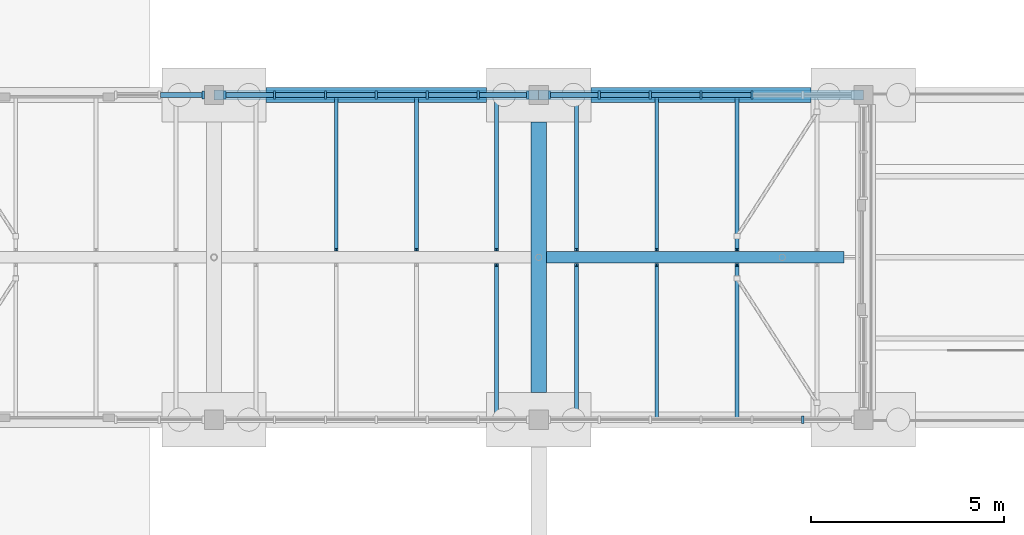
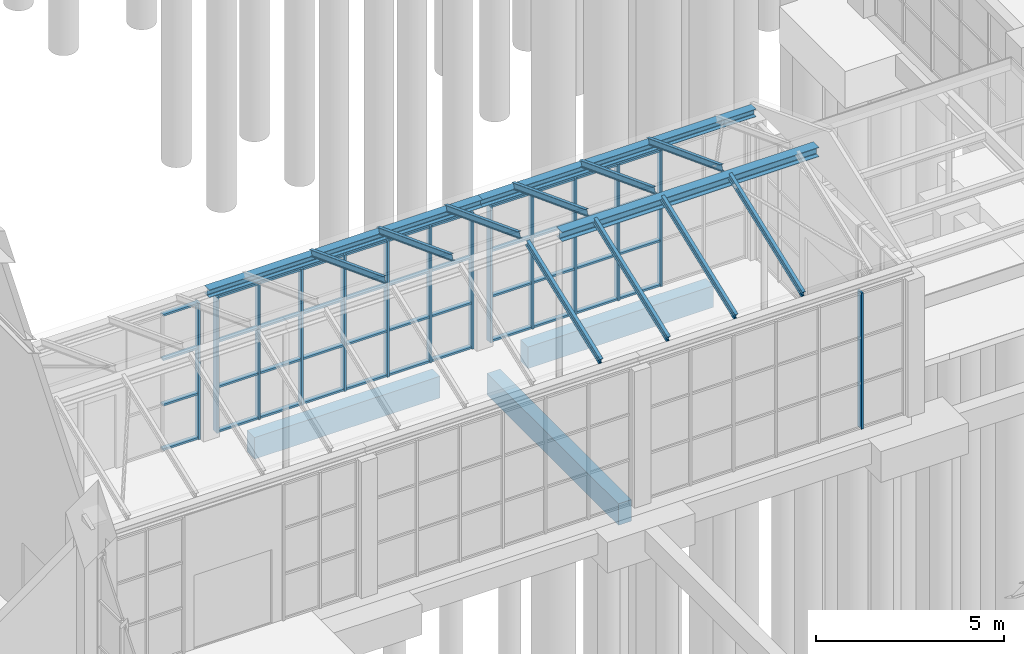
# One storey, part 66 of 138: 58 members, 16 beams, 4 elements without a shape of their own.
"""IFC4 building model written with IfcOpenShell, lengths in metres."""

from ifc_helpers import new_model, si_unit, direction, frame, origin, origin_2d, place, context, subcontext, project, spatial, rectangle, i_section, extrude, material, material_profile, profile_set, type_object, element, aggregate, save


model = new_model("IFC4")

# Units and contexts
model_context = context("Model", 3, precision=1e-05, world=origin(), true_north=direction((0.0, 1.0)))
body_context = subcontext(model_context, "Body", "Model", "MODEL_VIEW")
ifc_project = project(units=[si_unit("LENGTHUNIT", "METRE"), si_unit("AREAUNIT", "SQUARE_METRE"), si_unit("VOLUMEUNIT", "CUBIC_METRE"), si_unit("PLANEANGLEUNIT", "RADIAN"), si_unit("MASSUNIT", "GRAM", prefix="KILO")], contexts=[model_context])

# Site, building, storey
site_placement = place(None, origin())
site = spatial("IfcSite", under=ifc_project, at=site_placement, CompositionType="ELEMENT")
building_placement = place(site_placement, origin())
building = spatial("IfcBuilding", under=site, at=building_placement, Name="Yavir Park General Hospital", CompositionType="ELEMENT")
storey_placement = place(building_placement, origin())
storey = spatial("IfcBuildingStorey", under=building, at=storey_placement, Name="L00", CompositionType="ELEMENT", Elevation=0.0)

# Beams
ifc_material_1 = material(Name="Steel S355", Category="steel")
ifc_material_profile_1 = material_profile(ifc_material_1, i_section(OverallWidth=0.260009765625, OverallDepth=0.25, WebThickness=0.007568359375, FlangeThickness=0.012451171875, FilletRadius=0.02392578125, at=origin_2d()), Name="HEA260")
ifc_profile_set_1 = profile_set([ifc_material_profile_1], Name="Steel S355")
beam_type_1 = type_object("IfcBeamType", Name="HEA 260 eave beam", PredefinedType="BEAM", material=ifc_profile_set_1)
for number, where, z_axis, x_axis, name in (
    (1, (117.60009765625, 58.800048828125, 4.64697265625), (1.0, 0.0, 0.0), (0.0, 1.0, 0.0), "RF:CONC:frame:E:4"),
    (2, (126.0, 58.800048828125, 4.64697265625), (1.0, 0.0, 0.0), (0.0, 1.0, 0.0), "RF:CONC:frame:E:5"),
):
    element("IfcBeam", number, at=place(storey_placement, frame(where, z_axis=z_axis, x_axis=x_axis)), inside=storey, type_object=beam_type_1, Name=name, PredefinedType="BEAM", context=body_context, shape_type="SweptSolid", body=[
        extrude(i_section(OverallWidth=0.260009765625, OverallDepth=0.25, WebThickness=0.007568359375, FlangeThickness=0.012451171875, FilletRadius=0.02392578125, at=origin_2d()), origin(), (0.0, 0.0, 1.0), 8.39990234375),
    ])
ifc_material_2 = material(Name="Steel S355", Category="steel")
ifc_material_profile_2 = material_profile(ifc_material_2, i_section(OverallWidth=0.300048828125, OverallDepth=0.31005859375, WebThickness=0.009033203125, FlangeThickness=0.015380859375, FilletRadius=0.027099609375, at=origin_2d()), Name="HEA320")
ifc_profile_set_2 = profile_set([ifc_material_profile_2], Name="Steel S355")
beam_type_2 = type_object("IfcBeamType", Name="HEA 320 ridge beam", PredefinedType="BEAM", material=ifc_profile_set_2)
beam_1_placement = place(storey_placement, frame((126.0, 54.60009765625, 6.113037109375), z_axis=(1.0, 0.0, 0.0), x_axis=(0.0, 1.0, 0.0)))
element("IfcBeam", 3, at=beam_1_placement, inside=storey, type_object=beam_type_2, Name="RF:CONC:frame:G:2", PredefinedType="BEAM", context=body_context, shape_type="SweptSolid", body=[
    extrude(i_section(OverallWidth=0.300048828125, OverallDepth=0.31005859375, WebThickness=0.009033203125, FlangeThickness=0.015380859375, FilletRadius=0.027099609375, at=origin_2d()), origin(), (0.0, 0.0, 1.0), 7.89990234375),
])
ifc_material_3 = material(Name="Steel S355", Category="steel")
ifc_material_profile_3 = material_profile(ifc_material_3, i_section(OverallWidth=0.10009765625, OverallDepth=0.199951171875, WebThickness=0.005615234375, FlangeThickness=0.008544921875, FilletRadius=0.011962890625, at=origin_2d()), Name="IPE200")
ifc_profile_set_3 = profile_set([ifc_material_profile_3], Name="Steel S355")
beam_type_3 = type_object("IfcBeamType", Name="IPE 200 rafter", PredefinedType="JOIST", material=ifc_profile_set_3)
for number, where, z_axis, x_axis, name in (
    (4, (120.763671875, 54.795654296875, 6.35791015625), (0.0, 0.934494196525, -0.35597836544), (-1.0, 0.0, 0.0), "RF:CONC:frame:R:11"),
    (5, (122.83642578125, 54.795654296875, 6.35791015625), (0.0, 0.934494196525, -0.35597836544), (-1.0, 0.0, 0.0), "RF:CONC:frame:R:13"),
    (6, (124.9091796875, 50.489013671875, 4.866455078125), (0.0, 0.934494196525, 0.35597836544), (-1.0, 0.0, 0.0), "RF:CONC:frame:R:14"),
    (7, (124.9091796875, 54.795654296875, 6.35791015625), (0.0, 0.934494196525, -0.35597836544), (-1.0, 0.0, 0.0), "RF:CONC:frame:R:15"),
    (8, (126.981689453125, 50.489013671875, 4.866455078125), (0.0, 0.934494196525, 0.35597836544), (-1.0, 0.0, 0.0), "RF:CONC:frame:R:16"),
    (9, (126.981689453125, 54.795654296875, 6.35791015625), (0.0, 0.934494196525, -0.35597836544), (-1.0, 0.0, 0.0), "RF:CONC:frame:R:17"),
    (10, (129.054443359375, 50.489013671875, 4.866455078125), (0.0, 0.934494196525, 0.35597836544), (-1.0, 0.0, 0.0), "RF:CONC:frame:R:18"),
    (11, (129.054443359375, 54.795654296875, 6.35791015625), (0.0, 0.934494196525, -0.35597836544), (-1.0, 0.0, 0.0), "RF:CONC:frame:R:19"),
    (12, (131.127197265625, 50.489013671875, 4.866455078125), (0.0, 0.934494196525, 0.35597836544), (-1.0, 0.0, 0.0), "RF:CONC:frame:R:20"),
    (13, (131.127197265625, 54.795654296875, 6.35791015625), (0.0, 0.934494196525, -0.35597836544), (-1.0, 0.0, 0.0), "RF:CONC:frame:R:21"),
):
    element("IfcBeam", number, at=place(storey_placement, frame(where, z_axis=z_axis, x_axis=x_axis)), inside=storey, type_object=beam_type_3, Name=name, PredefinedType="JOIST", context=body_context, shape_type="SweptSolid", body=[
        extrude(i_section(OverallWidth=0.10009765625, OverallDepth=0.199951171875, WebThickness=0.005615234375, FlangeThickness=0.008544921875, FilletRadius=0.011962890625, at=origin_2d()), origin(), (0.0, 0.0, 1.0), 4.189697265625),
    ])
ifc_material_4 = material(Name="Concrete C35/45", Category="concrete")
ifc_material_profile_4 = material_profile(ifc_material_4, rectangle(XDim=0.39990234375, YDim=0.699951171875, at=origin_2d()), Name="RC400x700")
ifc_profile_set_4 = profile_set([ifc_material_profile_4], Name="Concrete C35/45")
beam_type_4 = type_object("IfcBeamType", Name="RC BEAM 400x700 ground beam", PredefinedType="BEAM", material=ifc_profile_set_4)
for number, where, z_axis, x_axis, name in (
    (14, (118.949951171875, 58.800048828125, -0.800048828125), (1.0, 0.0, 0.0), (0.0, 1.0, 0.0), "B:GND:L00:15H:L00:16H"),
    (15, (127.35009765625, 58.800048828125, -0.800048828125), (1.0, 0.0, 0.0), (0.0, 1.0, 0.0), "B:GND:L00:16H:L00:17H"),
):
    element("IfcBeam", number, at=place(storey_placement, frame(where, z_axis=z_axis, x_axis=x_axis)), inside=storey, type_object=beam_type_4, Name=name, PredefinedType="BEAM", context=body_context, shape_type="SweptSolid", body=[
        extrude(rectangle(XDim=0.39990234375, YDim=0.699951171875, at=origin_2d()), origin(), (0.0, 0.0, 1.0), 5.699951171875),
    ])
beam_2_placement = place(storey_placement, frame((126.0, 51.10009765625, -0.800048828125), z_axis=(0.0, 1.0, 0.0), x_axis=(-1.0, 0.0, 0.0)))
element("IfcBeam", 16, at=beam_2_placement, inside=storey, type_object=beam_type_4, Name="B:GND:L00:16G:L00:16H", PredefinedType="BEAM", context=body_context, shape_type="SweptSolid", body=[
    extrude(rectangle(XDim=0.39990234375, YDim=0.699951171875, at=origin_2d()), origin(), (0.0, 0.0, 1.0), 7.0),
])

# Curtain wall, member
ifc_material_5 = material(Name="Aluminium curtain wall frame with insulated glazing", Category="aluminium")
curtain_wall_type = type_object("IfcCurtainWallType", Name="Winter-garden concourse glazing, 4425 high, 1400 module", PredefinedType="NOTDEFINED", material=ifc_material_5)
curtain_wall_1_placement = place(storey_placement, origin())
curtain_wall_1 = element("IfcCurtainWall", 17, at=curtain_wall_1_placement, inside=storey, type_object=curtain_wall_type, Name="CW37 L00-016", PredefinedType="NOTDEFINED")
ifc_material_6 = material(Name="Aluminium", Category="aluminium")
ifc_material_profile_5 = material_profile(ifc_material_6, rectangle(XDim=0.199951171875, YDim=0.06005859375, at=origin_2d()), Name="AL 60x200")
ifc_profile_set_5 = profile_set([ifc_material_profile_5], Name="Aluminium")
member_type_1 = type_object("IfcMemberType", Name="Winter-garden concourse glazing, 4425 high mullion 60 x 200", PredefinedType="MULLION", material=ifc_profile_set_5)
member_1_placement = place(storey_placement, frame((132.833251953125, 50.39990234375, 0.0), z_axis=(0.0, 0.0, 1.0), x_axis=(0.0, 1.0, 0.0)))
member_1 = element("IfcMember", 18, at=member_1_placement, type_object=member_type_1, Name="CW37 mullion 6", PredefinedType="MULLION", context=body_context, shape_type="SweptSolid", body=[
    extrude(rectangle(XDim=0.199951171875, YDim=0.06005859375, at=origin_2d()), origin(), (0.0, 0.0, 1.0), 4.425048828125),
])
aggregate(curtain_wall_1, [member_1])

curtain_wall_2_placement = place(storey_placement, origin())
curtain_wall_2 = element("IfcCurtainWall", 19, at=curtain_wall_2_placement, inside=storey, type_object=curtain_wall_type, Name="CW37 L00-019", PredefinedType="NOTDEFINED")
member_2_placement = place(storey_placement, frame((117.320068359375, 58.800048828125, 0.0), z_axis=(0.0, 0.0, 1.0), x_axis=(0.0, 1.0, 0.0)))
member_2 = element("IfcMember", 20, at=member_2_placement, type_object=member_type_1, Name="CW37 mullion 3", PredefinedType="MULLION", context=body_context, shape_type="SweptSolid", body=[
    extrude(rectangle(XDim=0.199951171875, YDim=0.06005859375, at=origin_2d()), origin(), (0.0, 0.0, 1.0), 4.425048828125),
])

# Curtain wall, members
curtain_wall_3_placement = place(storey_placement, origin())
curtain_wall_3 = element("IfcCurtainWall", 21, at=curtain_wall_3_placement, inside=storey, type_object=curtain_wall_type, Name="CW37 L00-020", PredefinedType="NOTDEFINED")
member_3_placement = place(storey_placement, frame((117.8798828125, 58.800048828125, 0.0), z_axis=(0.0, 0.0, 1.0), x_axis=(0.0, 1.0, 0.0)))
member_3 = element("IfcMember", 22, at=member_3_placement, type_object=member_type_1, Name="CW37 mullion 1", PredefinedType="MULLION", context=body_context, shape_type="SweptSolid", body=[
    extrude(rectangle(XDim=0.199951171875, YDim=0.06005859375, at=origin_2d()), origin(), (0.0, 0.0, 1.0), 4.425048828125),
])
member_4_placement = place(storey_placement, frame((119.166748046875, 58.800048828125, 0.0), z_axis=(0.0, 0.0, 1.0), x_axis=(0.0, 1.0, 0.0)))
member_4 = element("IfcMember", 23, at=member_4_placement, type_object=member_type_1, Name="CW37 mullion 2", PredefinedType="MULLION", context=body_context, shape_type="SweptSolid", body=[
    extrude(rectangle(XDim=0.199951171875, YDim=0.06005859375, at=origin_2d()), origin(), (0.0, 0.0, 1.0), 4.425048828125),
])
member_5_placement = place(storey_placement, frame((120.4833984375, 58.800048828125, 0.0), z_axis=(0.0, 0.0, 1.0), x_axis=(0.0, 1.0, 0.0)))
member_5 = element("IfcMember", 24, at=member_5_placement, type_object=member_type_1, Name="CW37 mullion 3", PredefinedType="MULLION", context=body_context, shape_type="SweptSolid", body=[
    extrude(rectangle(XDim=0.199951171875, YDim=0.06005859375, at=origin_2d()), origin(), (0.0, 0.0, 1.0), 4.425048828125),
])
member_6_placement = place(storey_placement, frame((121.800048828125, 58.800048828125, 0.0), z_axis=(0.0, 0.0, 1.0), x_axis=(0.0, 1.0, 0.0)))
member_6 = element("IfcMember", 25, at=member_6_placement, type_object=member_type_1, Name="CW37 mullion 4", PredefinedType="MULLION", context=body_context, shape_type="SweptSolid", body=[
    extrude(rectangle(XDim=0.199951171875, YDim=0.06005859375, at=origin_2d()), origin(), (0.0, 0.0, 1.0), 4.425048828125),
])
member_7_placement = place(storey_placement, frame((123.11669921875, 58.800048828125, 0.0), z_axis=(0.0, 0.0, 1.0), x_axis=(0.0, 1.0, 0.0)))
member_7 = element("IfcMember", 26, at=member_7_placement, type_object=member_type_1, Name="CW37 mullion 5", PredefinedType="MULLION", context=body_context, shape_type="SweptSolid", body=[
    extrude(rectangle(XDim=0.199951171875, YDim=0.06005859375, at=origin_2d()), origin(), (0.0, 0.0, 1.0), 4.425048828125),
])
member_8_placement = place(storey_placement, frame((124.433349609375, 58.800048828125, 0.0), z_axis=(0.0, 0.0, 1.0), x_axis=(0.0, 1.0, 0.0)))
member_8 = element("IfcMember", 27, at=member_8_placement, type_object=member_type_1, Name="CW37 mullion 6", PredefinedType="MULLION", context=body_context, shape_type="SweptSolid", body=[
    extrude(rectangle(XDim=0.199951171875, YDim=0.06005859375, at=origin_2d()), origin(), (0.0, 0.0, 1.0), 4.425048828125),
])
member_9_placement = place(storey_placement, frame((125.719970703125, 58.800048828125, 0.0), z_axis=(0.0, 0.0, 1.0), x_axis=(0.0, 1.0, 0.0)))
member_9 = element("IfcMember", 28, at=member_9_placement, type_object=member_type_1, Name="CW37 mullion 7", PredefinedType="MULLION", context=body_context, shape_type="SweptSolid", body=[
    extrude(rectangle(XDim=0.199951171875, YDim=0.06005859375, at=origin_2d()), origin(), (0.0, 0.0, 1.0), 4.425048828125),
])

curtain_wall_4_placement = place(storey_placement, origin())
curtain_wall_4 = element("IfcCurtainWall", 29, at=curtain_wall_4_placement, inside=storey, type_object=curtain_wall_type, Name="CW37 L00-021", PredefinedType="NOTDEFINED")
member_10_placement = place(storey_placement, frame((126.280029296875, 58.800048828125, 0.0), z_axis=(0.0, 0.0, 1.0), x_axis=(0.0, 1.0, 0.0)))
member_10 = element("IfcMember", 30, at=member_10_placement, type_object=member_type_1, Name="CW37 mullion 1", PredefinedType="MULLION", context=body_context, shape_type="SweptSolid", body=[
    extrude(rectangle(XDim=0.199951171875, YDim=0.06005859375, at=origin_2d()), origin(), (0.0, 0.0, 1.0), 4.425048828125),
])
member_11_placement = place(storey_placement, frame((127.566650390625, 58.800048828125, 0.0), z_axis=(0.0, 0.0, 1.0), x_axis=(0.0, 1.0, 0.0)))
member_11 = element("IfcMember", 31, at=member_11_placement, type_object=member_type_1, Name="CW37 mullion 2", PredefinedType="MULLION", context=body_context, shape_type="SweptSolid", body=[
    extrude(rectangle(XDim=0.199951171875, YDim=0.06005859375, at=origin_2d()), origin(), (0.0, 0.0, 1.0), 4.425048828125),
])
member_12_placement = place(storey_placement, frame((128.88330078125, 58.800048828125, 0.0), z_axis=(0.0, 0.0, 1.0), x_axis=(0.0, 1.0, 0.0)))
member_12 = element("IfcMember", 32, at=member_12_placement, type_object=member_type_1, Name="CW37 mullion 3", PredefinedType="MULLION", context=body_context, shape_type="SweptSolid", body=[
    extrude(rectangle(XDim=0.199951171875, YDim=0.06005859375, at=origin_2d()), origin(), (0.0, 0.0, 1.0), 4.425048828125),
])
member_13_placement = place(storey_placement, frame((130.199951171875, 58.800048828125, 0.0), z_axis=(0.0, 0.0, 1.0), x_axis=(0.0, 1.0, 0.0)))
member_13 = element("IfcMember", 33, at=member_13_placement, type_object=member_type_1, Name="CW37 mullion 4", PredefinedType="MULLION", context=body_context, shape_type="SweptSolid", body=[
    extrude(rectangle(XDim=0.199951171875, YDim=0.06005859375, at=origin_2d()), origin(), (0.0, 0.0, 1.0), 4.425048828125),
])
member_14_placement = place(storey_placement, frame((131.5166015625, 58.800048828125, 0.0), z_axis=(0.0, 0.0, 1.0), x_axis=(0.0, 1.0, 0.0)))
member_14 = element("IfcMember", 34, at=member_14_placement, type_object=member_type_1, Name="CW37 mullion 5", PredefinedType="MULLION", context=body_context, shape_type="SweptSolid", body=[
    extrude(rectangle(XDim=0.199951171875, YDim=0.06005859375, at=origin_2d()), origin(), (0.0, 0.0, 1.0), 4.425048828125),
])

# Member
ifc_material_7 = material(Name="Aluminium", Category="aluminium")
ifc_material_profile_6 = material_profile(ifc_material_7, rectangle(XDim=0.139892578125, YDim=0.06005859375, at=origin_2d()), Name="AL 140x60")
ifc_profile_set_6 = profile_set([ifc_material_profile_6], Name="Aluminium")
member_type_2 = type_object("IfcMemberType", Name="Winter-garden concourse glazing, 4425 high transom 60 x 140", PredefinedType="MULLION", material=ifc_profile_set_6)
member_15_placement = place(storey_placement, frame((116.217529296875, 58.800048828125, 0.030029296875), z_axis=(1.0, 0.0, 0.0), x_axis=(0.0, 1.0, 0.0)))
member_15 = element("IfcMember", 35, at=member_15_placement, type_object=member_type_2, Name="CW37 transom 2.1", PredefinedType="MULLION", context=body_context, shape_type="SweptSolid", body=[
    extrude(rectangle(XDim=0.139892578125, YDim=0.06005859375, at=origin_2d()), origin(), (0.0, 0.0, 1.0), 1.072509765625),
])

member_16_placement = place(storey_placement, frame((116.217529296875, 58.800048828125, 1.47509765625), z_axis=(1.0, 0.0, 0.0), x_axis=(0.0, 1.0, 0.0)))
member_16 = element("IfcMember", 36, at=member_16_placement, type_object=member_type_2, Name="CW37 transom 2.2", PredefinedType="MULLION", context=body_context, shape_type="SweptSolid", body=[
    extrude(rectangle(XDim=0.139892578125, YDim=0.06005859375, at=origin_2d()), origin(), (0.0, 0.0, 1.0), 1.072509765625),
])

member_17_placement = place(storey_placement, frame((116.217529296875, 58.800048828125, 2.949951171875), z_axis=(1.0, 0.0, 0.0), x_axis=(0.0, 1.0, 0.0)))
member_17 = element("IfcMember", 37, at=member_17_placement, type_object=member_type_2, Name="CW37 transom 2.3", PredefinedType="MULLION", context=body_context, shape_type="SweptSolid", body=[
    extrude(rectangle(XDim=0.139892578125, YDim=0.06005859375, at=origin_2d()), origin(), (0.0, 0.0, 1.0), 1.072509765625),
])

member_18_placement = place(storey_placement, frame((116.217529296875, 58.800048828125, 4.39501953125), z_axis=(1.0, 0.0, 0.0), x_axis=(0.0, 1.0, 0.0)))
member_18 = element("IfcMember", 38, at=member_18_placement, type_object=member_type_2, Name="CW37 transom 2.4", PredefinedType="MULLION", context=body_context, shape_type="SweptSolid", body=[
    extrude(rectangle(XDim=0.139892578125, YDim=0.06005859375, at=origin_2d()), origin(), (0.0, 0.0, 1.0), 1.072509765625),
])

aggregate(curtain_wall_2, [member_2, member_15, member_16, member_17, member_18])

member_19_placement = place(storey_placement, frame((117.909912109375, 58.800048828125, 0.030029296875), z_axis=(1.0, 0.0, 0.0), x_axis=(0.0, 1.0, 0.0)))
member_19 = element("IfcMember", 39, at=member_19_placement, type_object=member_type_2, Name="CW37 transom 1.1", PredefinedType="MULLION", context=body_context, shape_type="SweptSolid", body=[
    extrude(rectangle(XDim=0.139892578125, YDim=0.06005859375, at=origin_2d()), origin(), (0.0, 0.0, 1.0), 1.226806640625),
])

member_20_placement = place(storey_placement, frame((117.909912109375, 58.800048828125, 1.47509765625), z_axis=(1.0, 0.0, 0.0), x_axis=(0.0, 1.0, 0.0)))
member_20 = element("IfcMember", 40, at=member_20_placement, type_object=member_type_2, Name="CW37 transom 1.2", PredefinedType="MULLION", context=body_context, shape_type="SweptSolid", body=[
    extrude(rectangle(XDim=0.139892578125, YDim=0.06005859375, at=origin_2d()), origin(), (0.0, 0.0, 1.0), 1.226806640625),
])

member_21_placement = place(storey_placement, frame((117.909912109375, 58.800048828125, 2.949951171875), z_axis=(1.0, 0.0, 0.0), x_axis=(0.0, 1.0, 0.0)))
member_21 = element("IfcMember", 41, at=member_21_placement, type_object=member_type_2, Name="CW37 transom 1.3", PredefinedType="MULLION", context=body_context, shape_type="SweptSolid", body=[
    extrude(rectangle(XDim=0.139892578125, YDim=0.06005859375, at=origin_2d()), origin(), (0.0, 0.0, 1.0), 1.226806640625),
])

member_22_placement = place(storey_placement, frame((117.909912109375, 58.800048828125, 4.39501953125), z_axis=(1.0, 0.0, 0.0), x_axis=(0.0, 1.0, 0.0)))
member_22 = element("IfcMember", 42, at=member_22_placement, type_object=member_type_2, Name="CW37 transom 1.4", PredefinedType="MULLION", context=body_context, shape_type="SweptSolid", body=[
    extrude(rectangle(XDim=0.139892578125, YDim=0.06005859375, at=origin_2d()), origin(), (0.0, 0.0, 1.0), 1.226806640625),
])

member_23_placement = place(storey_placement, frame((119.19677734375, 58.800048828125, 0.030029296875), z_axis=(1.0, 0.0, 0.0), x_axis=(0.0, 1.0, 0.0)))
member_23 = element("IfcMember", 43, at=member_23_placement, type_object=member_type_2, Name="CW37 transom 2.1", PredefinedType="MULLION", context=body_context, shape_type="SweptSolid", body=[
    extrude(rectangle(XDim=0.139892578125, YDim=0.06005859375, at=origin_2d()), origin(), (0.0, 0.0, 1.0), 1.256591796875),
])

member_24_placement = place(storey_placement, frame((119.19677734375, 58.800048828125, 1.47509765625), z_axis=(1.0, 0.0, 0.0), x_axis=(0.0, 1.0, 0.0)))
member_24 = element("IfcMember", 44, at=member_24_placement, type_object=member_type_2, Name="CW37 transom 2.2", PredefinedType="MULLION", context=body_context, shape_type="SweptSolid", body=[
    extrude(rectangle(XDim=0.139892578125, YDim=0.06005859375, at=origin_2d()), origin(), (0.0, 0.0, 1.0), 1.256591796875),
])

member_25_placement = place(storey_placement, frame((119.19677734375, 58.800048828125, 2.949951171875), z_axis=(1.0, 0.0, 0.0), x_axis=(0.0, 1.0, 0.0)))
member_25 = element("IfcMember", 45, at=member_25_placement, type_object=member_type_2, Name="CW37 transom 2.3", PredefinedType="MULLION", context=body_context, shape_type="SweptSolid", body=[
    extrude(rectangle(XDim=0.139892578125, YDim=0.06005859375, at=origin_2d()), origin(), (0.0, 0.0, 1.0), 1.256591796875),
])

member_26_placement = place(storey_placement, frame((119.19677734375, 58.800048828125, 4.39501953125), z_axis=(1.0, 0.0, 0.0), x_axis=(0.0, 1.0, 0.0)))
member_26 = element("IfcMember", 46, at=member_26_placement, type_object=member_type_2, Name="CW37 transom 2.4", PredefinedType="MULLION", context=body_context, shape_type="SweptSolid", body=[
    extrude(rectangle(XDim=0.139892578125, YDim=0.06005859375, at=origin_2d()), origin(), (0.0, 0.0, 1.0), 1.256591796875),
])

member_27_placement = place(storey_placement, frame((120.513427734375, 58.800048828125, 0.030029296875), z_axis=(1.0, 0.0, 0.0), x_axis=(0.0, 1.0, 0.0)))
member_27 = element("IfcMember", 47, at=member_27_placement, type_object=member_type_2, Name="CW37 transom 3.1", PredefinedType="MULLION", context=body_context, shape_type="SweptSolid", body=[
    extrude(rectangle(XDim=0.139892578125, YDim=0.06005859375, at=origin_2d()), origin(), (0.0, 0.0, 1.0), 1.256591796875),
])

member_28_placement = place(storey_placement, frame((120.513427734375, 58.800048828125, 1.47509765625), z_axis=(1.0, 0.0, 0.0), x_axis=(0.0, 1.0, 0.0)))
member_28 = element("IfcMember", 48, at=member_28_placement, type_object=member_type_2, Name="CW37 transom 3.2", PredefinedType="MULLION", context=body_context, shape_type="SweptSolid", body=[
    extrude(rectangle(XDim=0.139892578125, YDim=0.06005859375, at=origin_2d()), origin(), (0.0, 0.0, 1.0), 1.256591796875),
])

member_29_placement = place(storey_placement, frame((120.513427734375, 58.800048828125, 2.949951171875), z_axis=(1.0, 0.0, 0.0), x_axis=(0.0, 1.0, 0.0)))
member_29 = element("IfcMember", 49, at=member_29_placement, type_object=member_type_2, Name="CW37 transom 3.3", PredefinedType="MULLION", context=body_context, shape_type="SweptSolid", body=[
    extrude(rectangle(XDim=0.139892578125, YDim=0.06005859375, at=origin_2d()), origin(), (0.0, 0.0, 1.0), 1.256591796875),
])

member_30_placement = place(storey_placement, frame((120.513427734375, 58.800048828125, 4.39501953125), z_axis=(1.0, 0.0, 0.0), x_axis=(0.0, 1.0, 0.0)))
member_30 = element("IfcMember", 50, at=member_30_placement, type_object=member_type_2, Name="CW37 transom 3.4", PredefinedType="MULLION", context=body_context, shape_type="SweptSolid", body=[
    extrude(rectangle(XDim=0.139892578125, YDim=0.06005859375, at=origin_2d()), origin(), (0.0, 0.0, 1.0), 1.256591796875),
])

member_31_placement = place(storey_placement, frame((121.830078125, 58.800048828125, 0.030029296875), z_axis=(1.0, 0.0, 0.0), x_axis=(0.0, 1.0, 0.0)))
member_31 = element("IfcMember", 51, at=member_31_placement, type_object=member_type_2, Name="CW37 transom 4.1", PredefinedType="MULLION", context=body_context, shape_type="SweptSolid", body=[
    extrude(rectangle(XDim=0.139892578125, YDim=0.06005859375, at=origin_2d()), origin(), (0.0, 0.0, 1.0), 1.256591796875),
])

member_32_placement = place(storey_placement, frame((121.830078125, 58.800048828125, 1.47509765625), z_axis=(1.0, 0.0, 0.0), x_axis=(0.0, 1.0, 0.0)))
member_32 = element("IfcMember", 52, at=member_32_placement, type_object=member_type_2, Name="CW37 transom 4.2", PredefinedType="MULLION", context=body_context, shape_type="SweptSolid", body=[
    extrude(rectangle(XDim=0.139892578125, YDim=0.06005859375, at=origin_2d()), origin(), (0.0, 0.0, 1.0), 1.256591796875),
])

member_33_placement = place(storey_placement, frame((121.830078125, 58.800048828125, 2.949951171875), z_axis=(1.0, 0.0, 0.0), x_axis=(0.0, 1.0, 0.0)))
member_33 = element("IfcMember", 53, at=member_33_placement, type_object=member_type_2, Name="CW37 transom 4.3", PredefinedType="MULLION", context=body_context, shape_type="SweptSolid", body=[
    extrude(rectangle(XDim=0.139892578125, YDim=0.06005859375, at=origin_2d()), origin(), (0.0, 0.0, 1.0), 1.256591796875),
])

member_34_placement = place(storey_placement, frame((121.830078125, 58.800048828125, 4.39501953125), z_axis=(1.0, 0.0, 0.0), x_axis=(0.0, 1.0, 0.0)))
member_34 = element("IfcMember", 54, at=member_34_placement, type_object=member_type_2, Name="CW37 transom 4.4", PredefinedType="MULLION", context=body_context, shape_type="SweptSolid", body=[
    extrude(rectangle(XDim=0.139892578125, YDim=0.06005859375, at=origin_2d()), origin(), (0.0, 0.0, 1.0), 1.256591796875),
])

member_35_placement = place(storey_placement, frame((123.146728515625, 58.800048828125, 0.030029296875), z_axis=(1.0, 0.0, 0.0), x_axis=(0.0, 1.0, 0.0)))
member_35 = element("IfcMember", 55, at=member_35_placement, type_object=member_type_2, Name="CW37 transom 5.1", PredefinedType="MULLION", context=body_context, shape_type="SweptSolid", body=[
    extrude(rectangle(XDim=0.139892578125, YDim=0.06005859375, at=origin_2d()), origin(), (0.0, 0.0, 1.0), 1.256591796875),
])

member_36_placement = place(storey_placement, frame((123.146728515625, 58.800048828125, 1.47509765625), z_axis=(1.0, 0.0, 0.0), x_axis=(0.0, 1.0, 0.0)))
member_36 = element("IfcMember", 56, at=member_36_placement, type_object=member_type_2, Name="CW37 transom 5.2", PredefinedType="MULLION", context=body_context, shape_type="SweptSolid", body=[
    extrude(rectangle(XDim=0.139892578125, YDim=0.06005859375, at=origin_2d()), origin(), (0.0, 0.0, 1.0), 1.256591796875),
])

member_37_placement = place(storey_placement, frame((123.146728515625, 58.800048828125, 2.949951171875), z_axis=(1.0, 0.0, 0.0), x_axis=(0.0, 1.0, 0.0)))
member_37 = element("IfcMember", 57, at=member_37_placement, type_object=member_type_2, Name="CW37 transom 5.3", PredefinedType="MULLION", context=body_context, shape_type="SweptSolid", body=[
    extrude(rectangle(XDim=0.139892578125, YDim=0.06005859375, at=origin_2d()), origin(), (0.0, 0.0, 1.0), 1.256591796875),
])

member_38_placement = place(storey_placement, frame((123.146728515625, 58.800048828125, 4.39501953125), z_axis=(1.0, 0.0, 0.0), x_axis=(0.0, 1.0, 0.0)))
member_38 = element("IfcMember", 58, at=member_38_placement, type_object=member_type_2, Name="CW37 transom 5.4", PredefinedType="MULLION", context=body_context, shape_type="SweptSolid", body=[
    extrude(rectangle(XDim=0.139892578125, YDim=0.06005859375, at=origin_2d()), origin(), (0.0, 0.0, 1.0), 1.256591796875),
])

member_39_placement = place(storey_placement, frame((124.46337890625, 58.800048828125, 0.030029296875), z_axis=(1.0, 0.0, 0.0), x_axis=(0.0, 1.0, 0.0)))
member_39 = element("IfcMember", 59, at=member_39_placement, type_object=member_type_2, Name="CW37 transom 6.1", PredefinedType="MULLION", context=body_context, shape_type="SweptSolid", body=[
    extrude(rectangle(XDim=0.139892578125, YDim=0.06005859375, at=origin_2d()), origin(), (0.0, 0.0, 1.0), 1.2265625),
])

member_40_placement = place(storey_placement, frame((124.46337890625, 58.800048828125, 1.47509765625), z_axis=(1.0, 0.0, 0.0), x_axis=(0.0, 1.0, 0.0)))
member_40 = element("IfcMember", 60, at=member_40_placement, type_object=member_type_2, Name="CW37 transom 6.2", PredefinedType="MULLION", context=body_context, shape_type="SweptSolid", body=[
    extrude(rectangle(XDim=0.139892578125, YDim=0.06005859375, at=origin_2d()), origin(), (0.0, 0.0, 1.0), 1.2265625),
])

member_41_placement = place(storey_placement, frame((124.46337890625, 58.800048828125, 2.949951171875), z_axis=(1.0, 0.0, 0.0), x_axis=(0.0, 1.0, 0.0)))
member_41 = element("IfcMember", 61, at=member_41_placement, type_object=member_type_2, Name="CW37 transom 6.3", PredefinedType="MULLION", context=body_context, shape_type="SweptSolid", body=[
    extrude(rectangle(XDim=0.139892578125, YDim=0.06005859375, at=origin_2d()), origin(), (0.0, 0.0, 1.0), 1.2265625),
])

member_42_placement = place(storey_placement, frame((124.46337890625, 58.800048828125, 4.39501953125), z_axis=(1.0, 0.0, 0.0), x_axis=(0.0, 1.0, 0.0)))
member_42 = element("IfcMember", 62, at=member_42_placement, type_object=member_type_2, Name="CW37 transom 6.4", PredefinedType="MULLION", context=body_context, shape_type="SweptSolid", body=[
    extrude(rectangle(XDim=0.139892578125, YDim=0.06005859375, at=origin_2d()), origin(), (0.0, 0.0, 1.0), 1.2265625),
])

aggregate(curtain_wall_3, [member_3, member_4, member_5, member_6, member_7, member_8, member_9, member_19, member_20, member_21, member_22, member_23, member_24, member_25, member_26, member_27, member_28, member_29, member_30, member_31, member_32, member_33, member_34, member_35, member_36, member_37, member_38, member_39, member_40, member_41, member_42])

member_43_placement = place(storey_placement, frame((126.31005859375, 58.800048828125, 0.030029296875), z_axis=(1.0, 0.0, 0.0), x_axis=(0.0, 1.0, 0.0)))
member_43 = element("IfcMember", 63, at=member_43_placement, type_object=member_type_2, Name="CW37 transom 1.1", PredefinedType="MULLION", context=body_context, shape_type="SweptSolid", body=[
    extrude(rectangle(XDim=0.139892578125, YDim=0.06005859375, at=origin_2d()), origin(), (0.0, 0.0, 1.0), 1.2265625),
])

member_44_placement = place(storey_placement, frame((126.31005859375, 58.800048828125, 1.47509765625), z_axis=(1.0, 0.0, 0.0), x_axis=(0.0, 1.0, 0.0)))
member_44 = element("IfcMember", 64, at=member_44_placement, type_object=member_type_2, Name="CW37 transom 1.2", PredefinedType="MULLION", context=body_context, shape_type="SweptSolid", body=[
    extrude(rectangle(XDim=0.139892578125, YDim=0.06005859375, at=origin_2d()), origin(), (0.0, 0.0, 1.0), 1.2265625),
])

member_45_placement = place(storey_placement, frame((126.31005859375, 58.800048828125, 2.949951171875), z_axis=(1.0, 0.0, 0.0), x_axis=(0.0, 1.0, 0.0)))
member_45 = element("IfcMember", 65, at=member_45_placement, type_object=member_type_2, Name="CW37 transom 1.3", PredefinedType="MULLION", context=body_context, shape_type="SweptSolid", body=[
    extrude(rectangle(XDim=0.139892578125, YDim=0.06005859375, at=origin_2d()), origin(), (0.0, 0.0, 1.0), 1.2265625),
])

member_46_placement = place(storey_placement, frame((126.31005859375, 58.800048828125, 4.39501953125), z_axis=(1.0, 0.0, 0.0), x_axis=(0.0, 1.0, 0.0)))
member_46 = element("IfcMember", 66, at=member_46_placement, type_object=member_type_2, Name="CW37 transom 1.4", PredefinedType="MULLION", context=body_context, shape_type="SweptSolid", body=[
    extrude(rectangle(XDim=0.139892578125, YDim=0.06005859375, at=origin_2d()), origin(), (0.0, 0.0, 1.0), 1.2265625),
])

member_47_placement = place(storey_placement, frame((127.5966796875, 58.800048828125, 0.030029296875), z_axis=(1.0, 0.0, 0.0), x_axis=(0.0, 1.0, 0.0)))
member_47 = element("IfcMember", 67, at=member_47_placement, type_object=member_type_2, Name="CW37 transom 2.1", PredefinedType="MULLION", context=body_context, shape_type="SweptSolid", body=[
    extrude(rectangle(XDim=0.139892578125, YDim=0.06005859375, at=origin_2d()), origin(), (0.0, 0.0, 1.0), 1.256591796875),
])

member_48_placement = place(storey_placement, frame((127.5966796875, 58.800048828125, 1.47509765625), z_axis=(1.0, 0.0, 0.0), x_axis=(0.0, 1.0, 0.0)))
member_48 = element("IfcMember", 68, at=member_48_placement, type_object=member_type_2, Name="CW37 transom 2.2", PredefinedType="MULLION", context=body_context, shape_type="SweptSolid", body=[
    extrude(rectangle(XDim=0.139892578125, YDim=0.06005859375, at=origin_2d()), origin(), (0.0, 0.0, 1.0), 1.256591796875),
])

member_49_placement = place(storey_placement, frame((127.5966796875, 58.800048828125, 2.949951171875), z_axis=(1.0, 0.0, 0.0), x_axis=(0.0, 1.0, 0.0)))
member_49 = element("IfcMember", 69, at=member_49_placement, type_object=member_type_2, Name="CW37 transom 2.3", PredefinedType="MULLION", context=body_context, shape_type="SweptSolid", body=[
    extrude(rectangle(XDim=0.139892578125, YDim=0.06005859375, at=origin_2d()), origin(), (0.0, 0.0, 1.0), 1.256591796875),
])

member_50_placement = place(storey_placement, frame((127.5966796875, 58.800048828125, 4.39501953125), z_axis=(1.0, 0.0, 0.0), x_axis=(0.0, 1.0, 0.0)))
member_50 = element("IfcMember", 70, at=member_50_placement, type_object=member_type_2, Name="CW37 transom 2.4", PredefinedType="MULLION", context=body_context, shape_type="SweptSolid", body=[
    extrude(rectangle(XDim=0.139892578125, YDim=0.06005859375, at=origin_2d()), origin(), (0.0, 0.0, 1.0), 1.256591796875),
])

member_51_placement = place(storey_placement, frame((128.913330078125, 58.800048828125, 0.030029296875), z_axis=(1.0, 0.0, 0.0), x_axis=(0.0, 1.0, 0.0)))
member_51 = element("IfcMember", 71, at=member_51_placement, type_object=member_type_2, Name="CW37 transom 3.1", PredefinedType="MULLION", context=body_context, shape_type="SweptSolid", body=[
    extrude(rectangle(XDim=0.139892578125, YDim=0.06005859375, at=origin_2d()), origin(), (0.0, 0.0, 1.0), 1.256591796875),
])

member_52_placement = place(storey_placement, frame((128.913330078125, 58.800048828125, 1.47509765625), z_axis=(1.0, 0.0, 0.0), x_axis=(0.0, 1.0, 0.0)))
member_52 = element("IfcMember", 72, at=member_52_placement, type_object=member_type_2, Name="CW37 transom 3.2", PredefinedType="MULLION", context=body_context, shape_type="SweptSolid", body=[
    extrude(rectangle(XDim=0.139892578125, YDim=0.06005859375, at=origin_2d()), origin(), (0.0, 0.0, 1.0), 1.256591796875),
])

member_53_placement = place(storey_placement, frame((128.913330078125, 58.800048828125, 2.949951171875), z_axis=(1.0, 0.0, 0.0), x_axis=(0.0, 1.0, 0.0)))
member_53 = element("IfcMember", 73, at=member_53_placement, type_object=member_type_2, Name="CW37 transom 3.3", PredefinedType="MULLION", context=body_context, shape_type="SweptSolid", body=[
    extrude(rectangle(XDim=0.139892578125, YDim=0.06005859375, at=origin_2d()), origin(), (0.0, 0.0, 1.0), 1.256591796875),
])

member_54_placement = place(storey_placement, frame((128.913330078125, 58.800048828125, 4.39501953125), z_axis=(1.0, 0.0, 0.0), x_axis=(0.0, 1.0, 0.0)))
member_54 = element("IfcMember", 74, at=member_54_placement, type_object=member_type_2, Name="CW37 transom 3.4", PredefinedType="MULLION", context=body_context, shape_type="SweptSolid", body=[
    extrude(rectangle(XDim=0.139892578125, YDim=0.06005859375, at=origin_2d()), origin(), (0.0, 0.0, 1.0), 1.256591796875),
])

member_55_placement = place(storey_placement, frame((130.22998046875, 58.800048828125, 0.030029296875), z_axis=(1.0, 0.0, 0.0), x_axis=(0.0, 1.0, 0.0)))
member_55 = element("IfcMember", 75, at=member_55_placement, type_object=member_type_2, Name="CW37 transom 4.1", PredefinedType="MULLION", context=body_context, shape_type="SweptSolid", body=[
    extrude(rectangle(XDim=0.139892578125, YDim=0.06005859375, at=origin_2d()), origin(), (0.0, 0.0, 1.0), 1.256591796875),
])

member_56_placement = place(storey_placement, frame((130.22998046875, 58.800048828125, 1.47509765625), z_axis=(1.0, 0.0, 0.0), x_axis=(0.0, 1.0, 0.0)))
member_56 = element("IfcMember", 76, at=member_56_placement, type_object=member_type_2, Name="CW37 transom 4.2", PredefinedType="MULLION", context=body_context, shape_type="SweptSolid", body=[
    extrude(rectangle(XDim=0.139892578125, YDim=0.06005859375, at=origin_2d()), origin(), (0.0, 0.0, 1.0), 1.256591796875),
])

member_57_placement = place(storey_placement, frame((130.22998046875, 58.800048828125, 2.949951171875), z_axis=(1.0, 0.0, 0.0), x_axis=(0.0, 1.0, 0.0)))
member_57 = element("IfcMember", 77, at=member_57_placement, type_object=member_type_2, Name="CW37 transom 4.3", PredefinedType="MULLION", context=body_context, shape_type="SweptSolid", body=[
    extrude(rectangle(XDim=0.139892578125, YDim=0.06005859375, at=origin_2d()), origin(), (0.0, 0.0, 1.0), 1.256591796875),
])

member_58_placement = place(storey_placement, frame((130.22998046875, 58.800048828125, 4.39501953125), z_axis=(1.0, 0.0, 0.0), x_axis=(0.0, 1.0, 0.0)))
member_58 = element("IfcMember", 78, at=member_58_placement, type_object=member_type_2, Name="CW37 transom 4.4", PredefinedType="MULLION", context=body_context, shape_type="SweptSolid", body=[
    extrude(rectangle(XDim=0.139892578125, YDim=0.06005859375, at=origin_2d()), origin(), (0.0, 0.0, 1.0), 1.256591796875),
])

aggregate(curtain_wall_4, [member_10, member_11, member_12, member_13, member_14, member_43, member_44, member_45, member_46, member_47, member_48, member_49, member_50, member_51, member_52, member_53, member_54, member_55, member_56, member_57, member_58])

save(model, "model.ifc")
